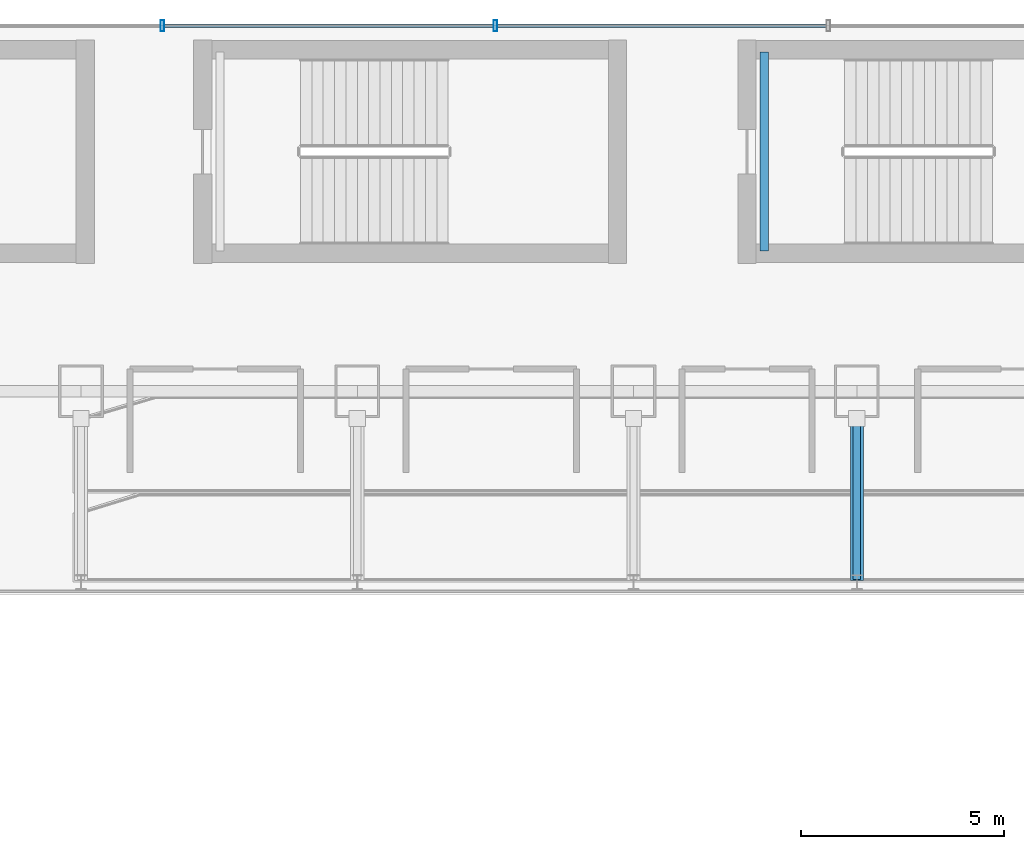
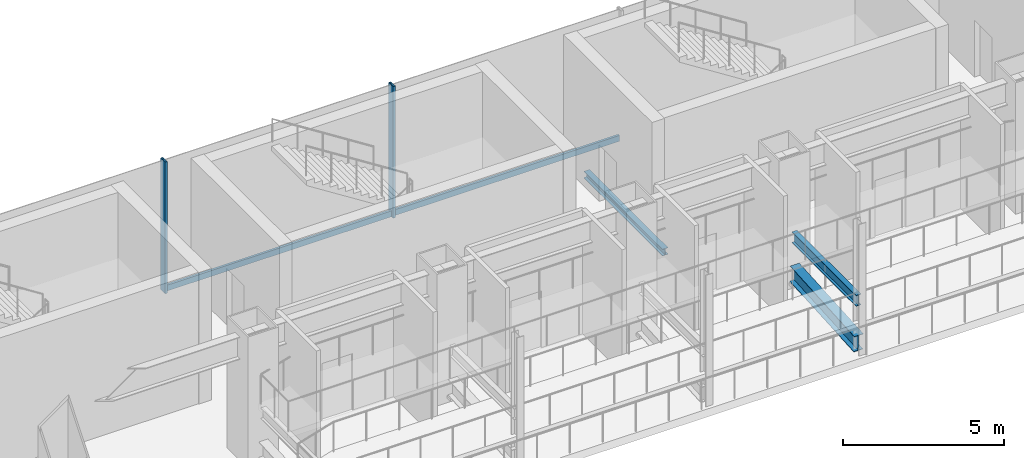
# One storey, part 15 of 40: 4 members, 3 beams, 1 element without a shape of its own.
"""IFC4 building model written with IfcOpenShell, lengths in metres."""

from ifc_helpers import new_model, si_unit, derived_unit, direction, frame, origin, origin_2d, place, context, subcontext, project, spatial, hollow_rectangle, i_section, extrude, source, transform, mapped, material, material_profile, profile_set, type_object, element, aggregate, save


model = new_model("IFC4")

# Units and contexts
model_context = context("Model", 3, precision=1e-05, world=origin(), true_north=direction((0.0, 1.0)))
body_context = subcontext(model_context, "Body", "Model", "MODEL_VIEW")
ifc_project = project(units=[si_unit("LENGTHUNIT", "METRE"), si_unit("AREAUNIT", "SQUARE_METRE"), si_unit("VOLUMEUNIT", "CUBIC_METRE"), si_unit("PLANEANGLEUNIT", "RADIAN"), si_unit("MASSUNIT", "GRAM", prefix="KILO"), derived_unit("THERMALTRANSMITTANCEUNIT", [(si_unit("POWERUNIT", "WATT"), 1), (si_unit("LENGTHUNIT", "METRE"), -2), (si_unit("THERMODYNAMICTEMPERATUREUNIT", "KELVIN"), -1)])], contexts=[model_context])

# Site, building, storey
site_placement = place(None, origin())
site = spatial("IfcSite", under=ifc_project, at=site_placement, CompositionType="ELEMENT")
building_placement = place(site_placement, origin())
building = spatial("IfcBuilding", under=site, at=building_placement, Name="Skarnbrae Concourse Arena and Tower", CompositionType="ELEMENT")
storey_placement = place(building_placement, frame((0.0, 0.0, 6.0)))
storey = spatial("IfcBuildingStorey", under=building, at=storey_placement, Name="L01", CompositionType="ELEMENT", Elevation=6.0)

# Beams
ifc_material_1 = material(Name="Steel CSA G40.21 350W", Category="steel")
ifc_material_profile_1 = material_profile(ifc_material_1, i_section(OverallWidth=0.180908203125, OverallDepth=0.4169921875, WebThickness=0.010986328125, FlangeThickness=0.018310546875, at=origin_2d()), Name="W410X85")
ifc_profile_set_1 = profile_set([ifc_material_profile_1], Name="Steel CSA G40.21 350W")
beam_type_1 = type_object("IfcBeamType", Name="BM-JOIST-W410X85", PredefinedType="JOIST", material=ifc_profile_set_1)
shared_shape_1 = source(origin(), body_context, "Body", "SweptSolid", [
    extrude(i_section(OverallWidth=0.180908203125, OverallDepth=0.4169921875, WebThickness=0.010986328125, FlangeThickness=0.018310546875, at=origin_2d()), origin(), (0.0, 0.0, 1.0), 4.0),
])
beam_1_placement = place(storey_placement, frame((33.5, 42.360107421875, 1.94140625), z_axis=(0.0, 1.0, 0.0), x_axis=(-1.0, 0.0, 0.0)))
element("IfcBeam", 1, at=beam_1_placement, inside=storey, type_object=beam_type_1, Name="L01 Arena upper seating tier cradle beam N04", PredefinedType="JOIST", context=body_context, shape_type="MappedRepresentation", body=[
    mapped(shared_shape_1, transform((0.0, 0.0, 0.0))),
])
ifc_material_profile_2 = material_profile(ifc_material_1, i_section(OverallWidth=0.323974609375, OverallDepth=0.611083984375, WebThickness=0.0126953125, FlangeThickness=0.01904296875, at=origin_2d()), Name="W610X155")
ifc_profile_set_2 = profile_set([ifc_material_profile_2], Name="Steel CSA G40.21 350W")
beam_type_2 = type_object("IfcBeamType", Name="BM-RAKER-W610X155", PredefinedType="USERDEFINED", material=ifc_profile_set_2)
shared_shape_2 = source(origin(), body_context, "Body", "SweptSolid", [
    extrude(i_section(OverallWidth=0.323974609375, OverallDepth=0.611083984375, WebThickness=0.0126953125, FlangeThickness=0.01904296875, at=origin_2d()), origin(), (0.0, 0.0, 1.0), 4.008544921875),
])
beam_2_placement = place(storey_placement, frame((33.5, 42.360107421875, 0.320068359375), z_axis=(0.0, 0.997894012809, 0.064865547097), x_axis=(-1.0, 0.0, 0.0)))
element("IfcBeam", 2, at=beam_2_placement, inside=storey, type_object=beam_type_2, Name="L01 Arena bowl sloped raker beam RB-N04", ObjectType="RAKER", PredefinedType="USERDEFINED", context=body_context, shape_type="MappedRepresentation", body=[
    mapped(shared_shape_2, transform((0.0, 0.0, 0.0))),
])

# Curtain wall, members
ifc_material_2 = material(Name="Bronze anodised aluminium 6063-T6", Category="aluminium")
curtain_wall_type = type_object("IfcCurtainWallType", Name="CW-SYS-01-PODIUM", PredefinedType="USERDEFINED", material=ifc_material_2)
curtain_wall_placement = place(storey_placement, origin())
curtain_wall = element("IfcCurtainWall", 3, at=curtain_wall_placement, inside=storey, type_object=curtain_wall_type, Name="L01 Unitised curtain wall CW-L01-N", ObjectType="UNITISED CURTAIN WALL", PredefinedType="USERDEFINED")
ifc_material_profile_3 = material_profile(ifc_material_2, hollow_rectangle(XDim=0.0849609375, YDim=0.280029296875, WallThickness=0.006103515625, at=origin_2d()), Name="ALU-MULL-85X280")
ifc_profile_set_3 = profile_set([ifc_material_profile_3], Name="Bronze anodised aluminium 6063-T6")
member_type_1 = type_object("IfcMemberType", Name="CWM-CW-01", PredefinedType="MULLION", material=ifc_profile_set_3)
shared_shape_3 = source(origin(), body_context, "Body", "SweptSolid", [
    extrude(hollow_rectangle(XDim=0.0849609375, YDim=0.280029296875, WallThickness=0.006103515625, at=origin_2d()), origin(), (0.0, 0.0, 1.0), 5.0),
])
member_1_placement = place(storey_placement, frame((24.60009765625, 56.0, 0.0), z_axis=(0.0, 0.0, 1.0), x_axis=(-1.0, 0.0, 0.0)))
member_1 = element("IfcMember", 4, at=member_1_placement, type_object=member_type_1, Name="CW-L01-N Mullion 8", PredefinedType="MULLION", context=body_context, shape_type="MappedRepresentation", body=[
    mapped(shared_shape_3, transform((0.0, 0.0, 0.0))),
])
member_2_placement = place(storey_placement, frame((16.39990234375, 56.0, 0.0), z_axis=(0.0, 0.0, 1.0), x_axis=(-1.0, 0.0, 0.0)))
member_2 = element("IfcMember", 5, at=member_2_placement, type_object=member_type_1, Name="CW-L01-N Mullion 9", PredefinedType="MULLION", context=body_context, shape_type="MappedRepresentation", body=[
    mapped(shared_shape_3, transform((0.0, 0.0, 0.0))),
])
ifc_material_profile_4 = material_profile(ifc_material_2, hollow_rectangle(XDim=0.0849609375, YDim=0.219970703125, WallThickness=0.006103515625, at=origin_2d()), Name="ALU-TRAN-85X220")
ifc_profile_set_4 = profile_set([ifc_material_profile_4], Name="Bronze anodised aluminium 6063-T6")
member_type_2 = type_object("IfcMemberType", Name="CWT-CW-01", PredefinedType="USERDEFINED", material=ifc_profile_set_4)
shared_shape_4 = source(origin(), body_context, "Body", "SweptSolid", [
    extrude(hollow_rectangle(XDim=0.0849609375, YDim=0.219970703125, WallThickness=0.006103515625, at=origin_2d()), origin(), (0.0, 0.0, 1.0), 8.114990234375),
])
member_3_placement = place(storey_placement, frame((32.757568359375, 56.0, 0.110107421875), z_axis=(-1.0, 0.0, 0.0), x_axis=(0.0, -1.0, 0.0)))
member_3 = element("IfcMember", 6, at=member_3_placement, type_object=member_type_2, Name="CW-L01-N Transom 7", ObjectType="TRANSOM", PredefinedType="USERDEFINED", context=body_context, shape_type="MappedRepresentation", body=[
    mapped(shared_shape_4, transform((0.0, 0.0, 0.0))),
])
shared_shape_5 = source(origin(), body_context, "Body", "SweptSolid", [
    extrude(hollow_rectangle(XDim=0.0849609375, YDim=0.219970703125, WallThickness=0.006103515625, at=origin_2d()), origin(), (0.0, 0.0, 1.0), 8.115234375),
])
member_4_placement = place(storey_placement, frame((24.5576171875, 56.0, 0.110107421875), z_axis=(-1.0, 0.0, 0.0), x_axis=(0.0, -1.0, 0.0)))
member_4 = element("IfcMember", 7, at=member_4_placement, type_object=member_type_2, Name="CW-L01-N Transom 8", ObjectType="TRANSOM", PredefinedType="USERDEFINED", context=body_context, shape_type="MappedRepresentation", body=[
    mapped(shared_shape_5, transform((0.0, 0.0, 0.0))),
])
aggregate(curtain_wall, [member_1, member_2, member_3, member_4])

# Beam
ifc_material_profile_5 = material_profile(ifc_material_1, i_section(OverallWidth=0.202880859375, OverallDepth=0.251953125, WebThickness=0.008056640625, FlangeThickness=0.013427734375, at=origin_2d()), Name="W250X58")
ifc_profile_set_5 = profile_set([ifc_material_profile_5], Name="Steel CSA G40.21 350W")
beam_type_3 = type_object("IfcBeamType", Name="BM-LINTEL-W250X58", PredefinedType="LINTEL", material=ifc_profile_set_5)
shared_shape_6 = source(origin(), body_context, "Body", "SweptSolid", [
    extrude(i_section(OverallWidth=0.202880859375, OverallDepth=0.251953125, WebThickness=0.008056640625, FlangeThickness=0.013427734375, at=origin_2d()), origin(), (0.0, 0.0, 1.0), 4.900146484375),
])
beam_3_placement = place(storey_placement, frame((31.219970703125, 50.449951171875, -0.325927734375), z_axis=(0.0, 1.0, 0.0), x_axis=(-1.0, 0.0, 0.0)))
element("IfcBeam", 8, at=beam_3_placement, inside=storey, type_object=beam_type_3, Name="L01 Stair ST-A7 near landing soffit beam", PredefinedType="LINTEL", context=body_context, shape_type="MappedRepresentation", body=[
    mapped(shared_shape_6, transform((0.0, 0.0, 0.0))),
])

save(model, "model.ifc")
